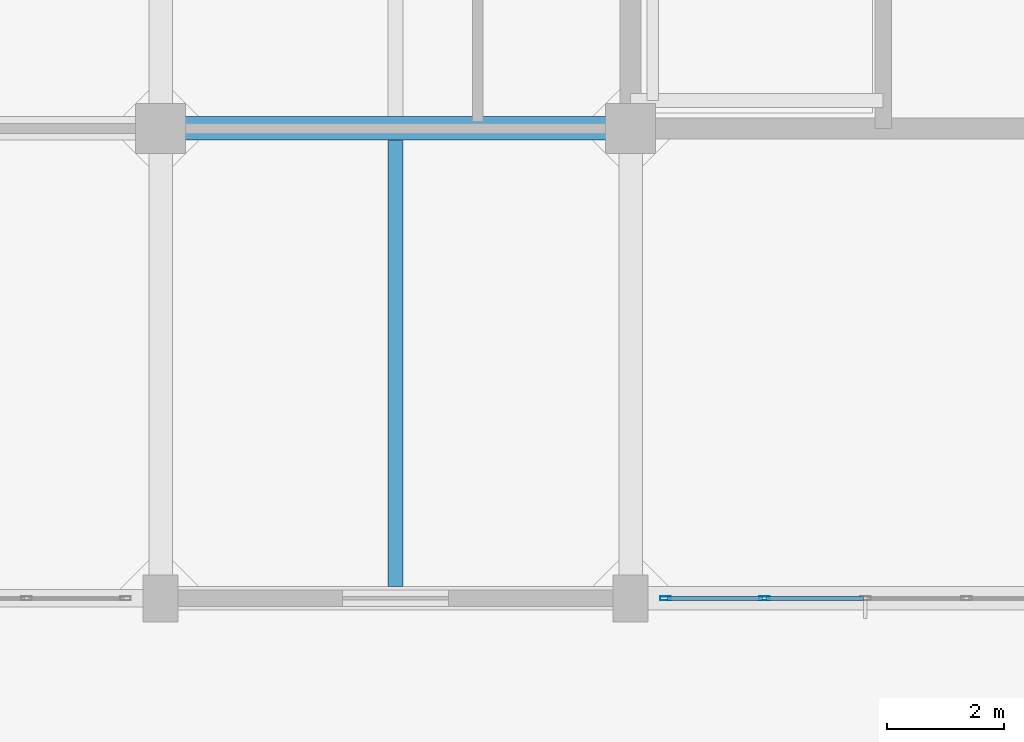
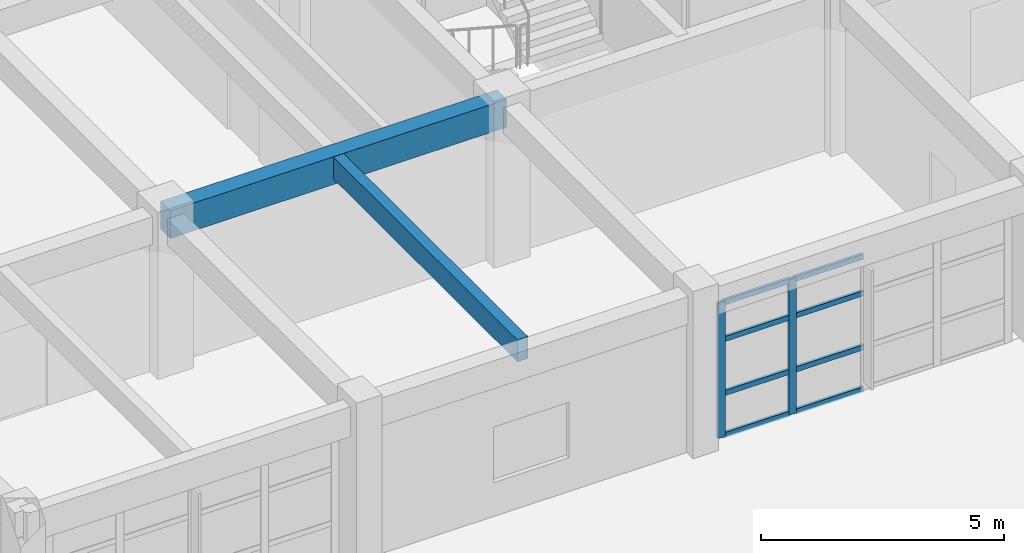
# One storey, part 5 of 30: 10 members, 2 beams, 1 element without a shape of its own.
"""IFC4 building model written with IfcOpenShell, lengths in metres."""

from ifc_helpers import new_model, si_unit, direction, frame, origin, origin_2d, place, context, subcontext, project, spatial, rectangle, hollow_rectangle, extrude, material, layer, layer_set, material_profile, profile_set, type_object, element, aggregate, save


model = new_model("IFC4")

# Units and contexts
model_context = context("Model", 3, precision=1e-05, world=origin(), true_north=direction((0.0, 1.0)))
body_context = subcontext(model_context, "Body", "Model", "MODEL_VIEW")
ifc_project = project(units=[si_unit("LENGTHUNIT", "METRE"), si_unit("AREAUNIT", "SQUARE_METRE"), si_unit("VOLUMEUNIT", "CUBIC_METRE"), si_unit("PLANEANGLEUNIT", "RADIAN"), si_unit("MASSUNIT", "GRAM", prefix="KILO")], contexts=[model_context])

# Site, building, storey
site_placement = place(None, origin())
site = spatial("IfcSite", under=ifc_project, at=site_placement, CompositionType="ELEMENT")
building_placement = place(site_placement, origin())
building = spatial("IfcBuilding", under=site, at=building_placement, Name="Canggui Botanical Conservatory", CompositionType="ELEMENT")
storey_placement = place(building_placement, frame((0.0, 0.0, 27.60009765625)))
storey = spatial("IfcBuildingStorey", under=building, at=storey_placement, Name="L07", CompositionType="ELEMENT", Elevation=27.60009765625)

# Beams
ifc_material_1 = material(Name="Concrete C35", Category="concrete")
ifc_material_profile_1 = material_profile(ifc_material_1, rectangle(XDim=0.25, YDim=0.550048828125, at=origin_2d()), Name="RB 250x550")
ifc_profile_set_1 = profile_set([ifc_material_profile_1], Name="Concrete C35")
beam_type_1 = type_object("IfcBeamType", Name="BM-JST03", PredefinedType="JOIST", material=ifc_profile_set_1)
beam_1_placement = place(storey_placement, frame((150.0, 34.205078125, 3.684814453125), z_axis=(0.0, 1.0, 0.0), x_axis=(-1.0, 0.0, 0.0)))
element("IfcBeam", 1, at=beam_1_placement, inside=storey, type_object=beam_type_1, Name="Secondary Floor Joist L07-2-1", PredefinedType="JOIST", context=body_context, shape_type="SweptSolid", body=[
    extrude(rectangle(XDim=0.25, YDim=0.550048828125, at=origin_2d()), origin(), (0.0, 0.0, 1.0), 7.58984375),
])
ifc_material_profile_2 = material_profile(ifc_material_1, rectangle(XDim=0.39990234375, YDim=0.699951171875, at=origin_2d()), Name="RB 400x700")
ifc_profile_set_2 = profile_set([ifc_material_profile_2], Name="Concrete C35")
beam_type_2 = type_object("IfcBeamType", Name="BM-KL11", PredefinedType="BEAM", material=ifc_profile_set_2)
beam_2_placement = place(storey_placement, frame((146.0, 42.0, 3.60986328125), z_axis=(1.0, 0.0, 0.0), x_axis=(0.0, 1.0, 0.0)))
element("IfcBeam", 2, at=beam_2_placement, inside=storey, type_object=beam_type_2, Name="Frame Girder L07 Y42-2", PredefinedType="BEAM", context=body_context, shape_type="SweptSolid", body=[
    extrude(rectangle(XDim=0.39990234375, YDim=0.699951171875, at=origin_2d()), origin(), (0.0, 0.0, 1.0), 8.0),
])

# Curtain wall, members
ifc_material_2 = material(Name="Thermally Broken Aluminium", Category="aluminium")
ifc_layer = layer(ifc_material_2, 0.179931640625, Name="Thermally Broken Aluminium", Category="aluminium")
ifc_layer_set = layer_set([ifc_layer], Name="Thermally Broken Aluminium")
curtain_wall_type = type_object("IfcCurtainWallType", Name="CW-UNIT-A", PredefinedType="USERDEFINED", material=ifc_layer_set)
curtain_wall_placement = place(storey_placement, origin())
curtain_wall = element("IfcCurtainWall", 3, at=curtain_wall_placement, inside=storey, type_object=curtain_wall_type, Name="Facade Curtain Wall CW-TWR-L07-03", ObjectType="UNITISED CURTAIN WALL", PredefinedType="USERDEFINED")
ifc_material_profile_3 = material_profile(ifc_material_2, hollow_rectangle(XDim=0.070068359375, YDim=0.179931640625, WallThickness=0.00390625, at=origin_2d()), Name="CWM 70x180x4")
ifc_profile_set_3 = profile_set([ifc_material_profile_3], Name="Thermally Broken Aluminium")
member_type_1 = type_object("IfcMemberType", Name="CWM-01", PredefinedType="MULLION", material=ifc_profile_set_3)
member_1_placement = place(storey_placement, frame((156.280029296875, 34.0, 0.0), z_axis=(0.0, 0.0, 1.0), x_axis=(0.0, -1.0, 0.0)))
member_1 = element("IfcMember", 4, at=member_1_placement, type_object=member_type_1, Name="CW-01 mullion 4", PredefinedType="MULLION", context=body_context, shape_type="SweptSolid", body=[
    extrude(hollow_rectangle(XDim=0.070068359375, YDim=0.179931640625, WallThickness=0.00390625, at=origin_2d()), origin(), (0.0, 0.0, 1.0), 3.39990234375),
])
member_2_placement = place(storey_placement, frame((154.594970703125, 34.0, 0.0), z_axis=(0.0, 0.0, 1.0), x_axis=(0.0, -1.0, 0.0)))
member_2 = element("IfcMember", 5, at=member_2_placement, type_object=member_type_1, Name="CW-01 mullion 5", PredefinedType="MULLION", context=body_context, shape_type="SweptSolid", body=[
    extrude(hollow_rectangle(XDim=0.070068359375, YDim=0.179931640625, WallThickness=0.00390625, at=origin_2d()), origin(), (0.0, 0.0, 1.0), 3.39990234375),
])
ifc_material_profile_4 = material_profile(ifc_material_2, hollow_rectangle(XDim=0.06494140625, YDim=0.1298828125, WallThickness=0.00341796875, at=origin_2d()), Name="CWT 65x130x3.5")
ifc_profile_set_4 = profile_set([ifc_material_profile_4], Name="Thermally Broken Aluminium")
member_type_2 = type_object("IfcMemberType", Name="CWT-01", PredefinedType="USERDEFINED", material=ifc_profile_set_4)
member_3_placement = place(storey_placement, frame((157.965087890625, 34.0, 0.032470703125), z_axis=(-1.0, 0.0, 0.0), x_axis=(0.0, -1.0, 0.0)))
member_3 = element("IfcMember", 6, at=member_3_placement, type_object=member_type_2, Name="CW-01 transom 3.1", ObjectType="TRANSOM", PredefinedType="USERDEFINED", context=body_context, shape_type="SweptSolid", body=[
    extrude(hollow_rectangle(XDim=0.06494140625, YDim=0.1298828125, WallThickness=0.00341796875, at=origin_2d()), origin(), (0.0, 0.0, 1.0), 1.650146484375),
])
member_4_placement = place(storey_placement, frame((157.965087890625, 34.0, 1.087890625), z_axis=(-1.0, 0.0, 0.0), x_axis=(0.0, -1.0, 0.0)))
member_4 = element("IfcMember", 7, at=member_4_placement, type_object=member_type_2, Name="CW-01 transom 3.2", ObjectType="TRANSOM", PredefinedType="USERDEFINED", context=body_context, shape_type="SweptSolid", body=[
    extrude(hollow_rectangle(XDim=0.06494140625, YDim=0.1298828125, WallThickness=0.00341796875, at=origin_2d()), origin(), (0.0, 0.0, 1.0), 1.650146484375),
])
member_5_placement = place(storey_placement, frame((157.965087890625, 34.0, 2.447998046875), z_axis=(-1.0, 0.0, 0.0), x_axis=(0.0, -1.0, 0.0)))
member_5 = element("IfcMember", 8, at=member_5_placement, type_object=member_type_2, Name="CW-01 transom 3.3", ObjectType="TRANSOM", PredefinedType="USERDEFINED", context=body_context, shape_type="SweptSolid", body=[
    extrude(hollow_rectangle(XDim=0.06494140625, YDim=0.1298828125, WallThickness=0.00341796875, at=origin_2d()), origin(), (0.0, 0.0, 1.0), 1.650146484375),
])
member_6_placement = place(storey_placement, frame((157.965087890625, 34.0, 3.367431640625), z_axis=(-1.0, 0.0, 0.0), x_axis=(0.0, -1.0, 0.0)))
member_6 = element("IfcMember", 9, at=member_6_placement, type_object=member_type_2, Name="CW-01 transom 3.4", ObjectType="TRANSOM", PredefinedType="USERDEFINED", context=body_context, shape_type="SweptSolid", body=[
    extrude(hollow_rectangle(XDim=0.06494140625, YDim=0.1298828125, WallThickness=0.00341796875, at=origin_2d()), origin(), (0.0, 0.0, 1.0), 1.650146484375),
])
member_7_placement = place(storey_placement, frame((156.2451171875, 34.0, 0.032470703125), z_axis=(-1.0, 0.0, 0.0), x_axis=(0.0, -1.0, 0.0)))
member_7 = element("IfcMember", 10, at=member_7_placement, type_object=member_type_2, Name="CW-01 transom 4.1", ObjectType="TRANSOM", PredefinedType="USERDEFINED", context=body_context, shape_type="SweptSolid", body=[
    extrude(hollow_rectangle(XDim=0.06494140625, YDim=0.1298828125, WallThickness=0.00341796875, at=origin_2d()), origin(), (0.0, 0.0, 1.0), 1.615234375),
])
member_8_placement = place(storey_placement, frame((156.2451171875, 34.0, 1.087890625), z_axis=(-1.0, 0.0, 0.0), x_axis=(0.0, -1.0, 0.0)))
member_8 = element("IfcMember", 11, at=member_8_placement, type_object=member_type_2, Name="CW-01 transom 4.2", ObjectType="TRANSOM", PredefinedType="USERDEFINED", context=body_context, shape_type="SweptSolid", body=[
    extrude(hollow_rectangle(XDim=0.06494140625, YDim=0.1298828125, WallThickness=0.00341796875, at=origin_2d()), origin(), (0.0, 0.0, 1.0), 1.615234375),
])
member_9_placement = place(storey_placement, frame((156.2451171875, 34.0, 2.447998046875), z_axis=(-1.0, 0.0, 0.0), x_axis=(0.0, -1.0, 0.0)))
member_9 = element("IfcMember", 12, at=member_9_placement, type_object=member_type_2, Name="CW-01 transom 4.3", ObjectType="TRANSOM", PredefinedType="USERDEFINED", context=body_context, shape_type="SweptSolid", body=[
    extrude(hollow_rectangle(XDim=0.06494140625, YDim=0.1298828125, WallThickness=0.00341796875, at=origin_2d()), origin(), (0.0, 0.0, 1.0), 1.615234375),
])
member_10_placement = place(storey_placement, frame((156.2451171875, 34.0, 3.367431640625), z_axis=(-1.0, 0.0, 0.0), x_axis=(0.0, -1.0, 0.0)))
member_10 = element("IfcMember", 13, at=member_10_placement, type_object=member_type_2, Name="CW-01 transom 4.4", ObjectType="TRANSOM", PredefinedType="USERDEFINED", context=body_context, shape_type="SweptSolid", body=[
    extrude(hollow_rectangle(XDim=0.06494140625, YDim=0.1298828125, WallThickness=0.00341796875, at=origin_2d()), origin(), (0.0, 0.0, 1.0), 1.615234375),
])
aggregate(curtain_wall, [member_1, member_2, member_3, member_4, member_5, member_6, member_7, member_8, member_9, member_10])

save(model, "model.ifc")
